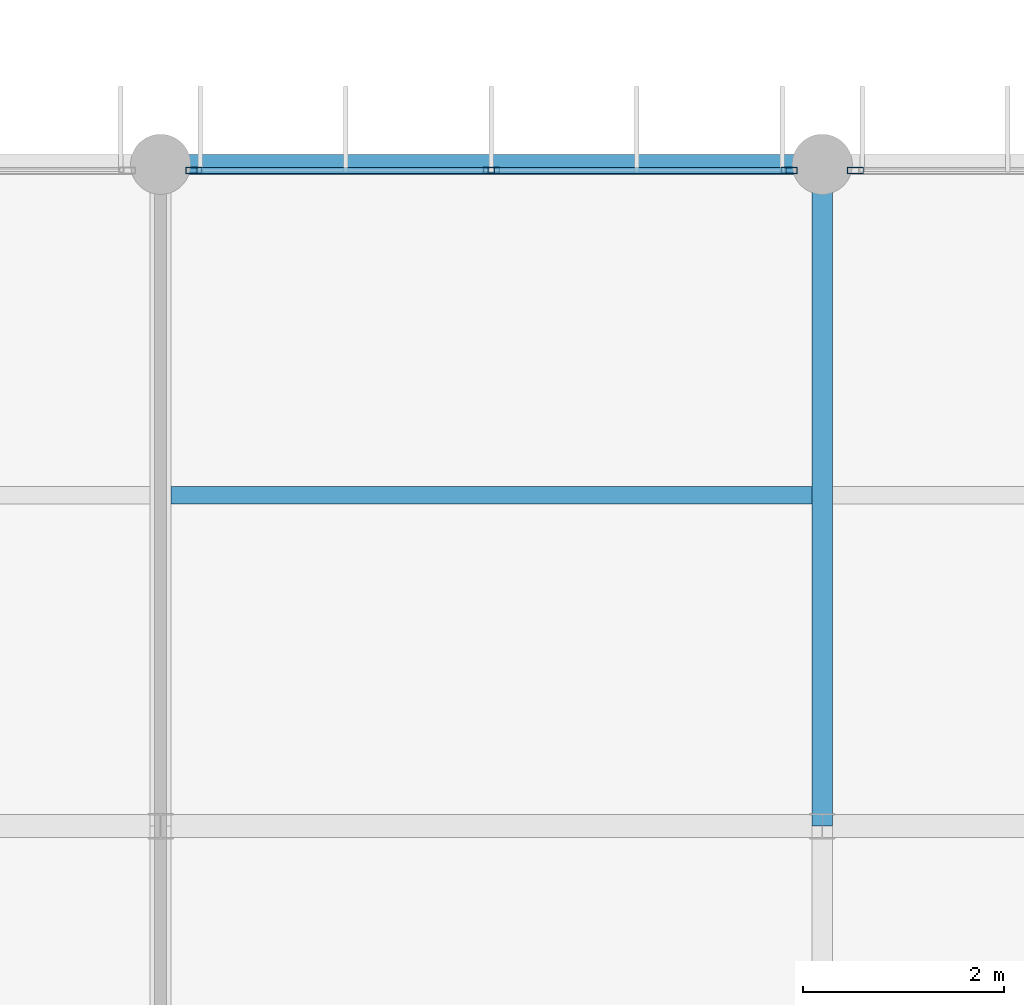
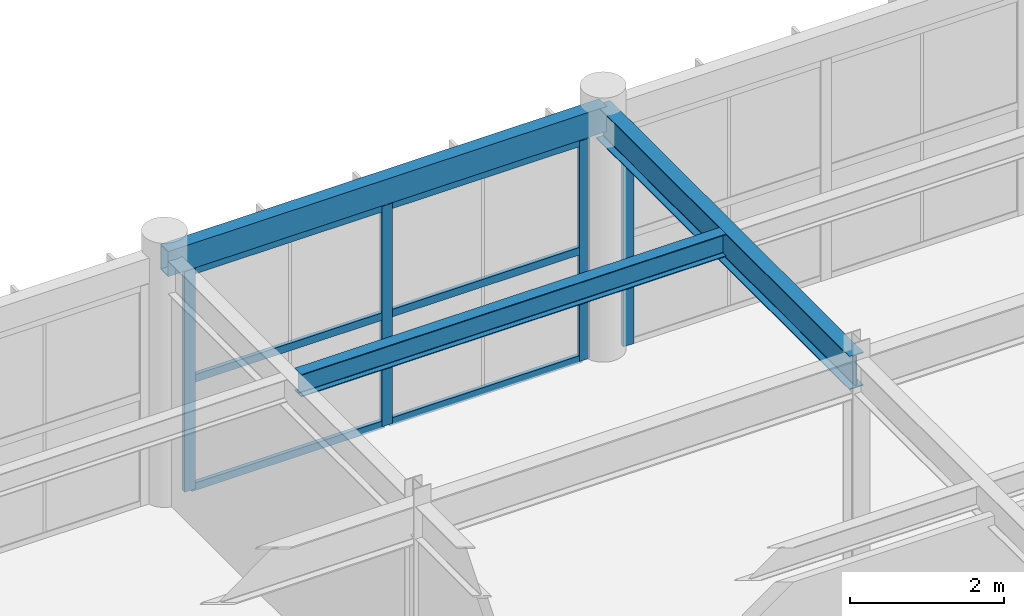
# One storey, part 22 of 66: 10 members, 3 beams, 2 elements without a shape of their own.
"""IFC4 building model written with IfcOpenShell, lengths in metres."""

from ifc_helpers import new_model, si_unit, direction, frame, origin, origin_2d, place, context, subcontext, project, spatial, hollow_rectangle, i_section, extrude, material, material_profile, profile_set, type_object, element, aggregate, save


model = new_model("IFC4")

# Units and contexts
model_context = context("Model", 3, precision=1e-05, world=origin(), true_north=direction((0.0, 1.0)))
body_context = subcontext(model_context, "Body", "Model", "MODEL_VIEW")
ifc_project = project(units=[si_unit("LENGTHUNIT", "METRE"), si_unit("AREAUNIT", "SQUARE_METRE"), si_unit("VOLUMEUNIT", "CUBIC_METRE"), si_unit("PLANEANGLEUNIT", "RADIAN"), si_unit("MASSUNIT", "GRAM", prefix="KILO")], contexts=[model_context])

# Site, building, storey
site_placement = place(None, origin())
site = spatial("IfcSite", under=ifc_project, at=site_placement, CompositionType="ELEMENT")
building_placement = place(site_placement, origin())
building = spatial("IfcBuilding", under=site, at=building_placement, Name="Karori Crest Natural Sciences Institute", CompositionType="ELEMENT")
storey_placement = place(building_placement, frame((0.0, 0.0, 30.10009765625)))
storey = spatial("IfcBuildingStorey", under=building, at=storey_placement, Name="L07", CompositionType="ELEMENT", Elevation=30.10009765625)

# Beams
ifc_material_1 = material(Name="Structural steel AS/NZS 3679.1 Grade 350", Category="steel")
ifc_material_profile_1 = material_profile(ifc_material_1, i_section(OverallWidth=0.208984375, OverallDepth=0.532958984375, WebThickness=0.01025390625, FlangeThickness=0.015625, FilletRadius=0.013916015625, at=origin_2d()), Name="530UB92.4")
ifc_profile_set_1 = profile_set([ifc_material_profile_1], Name="Structural steel AS/NZS 3679.1 Grade 350")
beam_type_1 = type_object("IfcBeamType", Name="BT-05", PredefinedType="BEAM", material=ifc_profile_set_1)
beam_1_placement = place(storey_placement, frame((130.0, 14.0, 3.6533203125), z_axis=(0.0, 1.0, 0.0), x_axis=(-1.0, 0.0, 0.0)))
element("IfcBeam", 1, at=beam_1_placement, inside=storey, type_object=beam_type_1, Name="Beam B-2662", PredefinedType="BEAM", context=body_context, shape_type="SweptSolid", body=[
    extrude(i_section(OverallWidth=0.208984375, OverallDepth=0.532958984375, WebThickness=0.01025390625, FlangeThickness=0.015625, FilletRadius=0.013916015625, at=origin_2d()), origin(), (0.0, 0.0, 1.0), 6.60009765625),
])
ifc_material_profile_2 = material_profile(ifc_material_1, i_section(OverallWidth=0.172119140625, OverallDepth=0.35888671875, WebThickness=0.008056640625, FlangeThickness=0.012939453125, FilletRadius=0.010986328125, at=origin_2d()), Name="360UB56.7")
ifc_profile_set_2 = profile_set([ifc_material_profile_2], Name="Structural steel AS/NZS 3679.1 Grade 350")
beam_type_2 = type_object("IfcBeamType", Name="BT-08", PredefinedType="BEAM", material=ifc_profile_set_2)
beam_2_placement = place(storey_placement, frame((123.50439453125, 17.300048828125, 3.740478515625), z_axis=(1.0, 0.0, 0.0), x_axis=(0.0, 1.0, 0.0)))
element("IfcBeam", 2, at=beam_2_placement, inside=storey, type_object=beam_type_2, Name="Beam B-2683", PredefinedType="BEAM", context=body_context, shape_type="SweptSolid", body=[
    extrude(i_section(OverallWidth=0.172119140625, OverallDepth=0.35888671875, WebThickness=0.008056640625, FlangeThickness=0.012939453125, FilletRadius=0.010986328125, at=origin_2d()), origin(), (0.0, 0.0, 1.0), 6.39111328125),
])
ifc_material_2 = material(Name="Hollow structural steel AS/NZS 1163 Grade C350", Category="steel")
ifc_material_profile_3 = material_profile(ifc_material_2, hollow_rectangle(XDim=0.199951171875, YDim=0.39990234375, WallThickness=0.012451171875, at=origin_2d()), Name="RHS400x200x12.5")
ifc_profile_set_3 = profile_set([ifc_material_profile_3], Name="Hollow structural steel AS/NZS 1163 Grade C350")
beam_type_3 = type_object("IfcBeamType", Name="BT-14", PredefinedType="SPANDREL", material=ifc_profile_set_3)
beam_3_placement = place(storey_placement, frame((123.39990234375, 20.60009765625, 3.719970703125), z_axis=(1.0, 0.0, 0.0), x_axis=(0.0, 1.0, 0.0)))
element("IfcBeam", 3, at=beam_3_placement, inside=storey, type_object=beam_type_3, Name="Beam B-2643", PredefinedType="SPANDREL", context=body_context, shape_type="SweptSolid", body=[
    extrude(hollow_rectangle(XDim=0.199951171875, YDim=0.39990234375, WallThickness=0.012451171875, at=origin_2d()), origin(), (0.0, 0.0, 1.0), 6.60009765625),
])

# Curtain wall, members
ifc_material_3 = material(Name="Anodised architectural aluminium 6063-T6", Category="aluminium")
curtain_wall_type = type_object("IfcCurtainWallType", Name="CWT-20", PredefinedType="NOTDEFINED", material=ifc_material_3)
curtain_wall_1_placement = place(storey_placement, origin())
curtain_wall_1 = element("IfcCurtainWall", 4, at=curtain_wall_1_placement, inside=storey, type_object=curtain_wall_type, Name="Curtain wall CW-0360", PredefinedType="NOTDEFINED")
ifc_material_profile_4 = material_profile(ifc_material_3, hollow_rectangle(XDim=0.06494140625, YDim=0.159912109375, WallThickness=0.00390625, at=origin_2d()), Name="CWM160x65x4")
ifc_profile_set_4 = profile_set([ifc_material_profile_4], Name="Anodised architectural aluminium 6063-T6")
member_type_1 = type_object("IfcMemberType", Name="CWM-01", PredefinedType="MULLION", material=ifc_profile_set_4)
member_1_placement = place(storey_placement, frame((123.73046875, 20.5400390625, 0.0), z_axis=(0.0, 0.0, 1.0), x_axis=(0.0, 1.0, 0.0)))
member_1 = element("IfcMember", 5, at=member_1_placement, type_object=member_type_1, Name="CW-0360 mullion 1", PredefinedType="MULLION", context=body_context, shape_type="SweptSolid", body=[
    extrude(hollow_rectangle(XDim=0.06494140625, YDim=0.159912109375, WallThickness=0.00390625, at=origin_2d()), origin(), (0.0, 0.0, 1.0), 3.5048828125),
])
member_2_placement = place(storey_placement, frame((126.699951171875, 20.5400390625, 0.0), z_axis=(0.0, 0.0, 1.0), x_axis=(0.0, 1.0, 0.0)))
member_2 = element("IfcMember", 6, at=member_2_placement, type_object=member_type_1, Name="CW-0360 mullion 2", PredefinedType="MULLION", context=body_context, shape_type="SweptSolid", body=[
    extrude(hollow_rectangle(XDim=0.06494140625, YDim=0.159912109375, WallThickness=0.00390625, at=origin_2d()), origin(), (0.0, 0.0, 1.0), 3.5048828125),
])
member_3_placement = place(storey_placement, frame((129.66943359375, 20.5400390625, 0.0), z_axis=(0.0, 0.0, 1.0), x_axis=(0.0, 1.0, 0.0)))
member_3 = element("IfcMember", 7, at=member_3_placement, type_object=member_type_1, Name="CW-0360 mullion 3", PredefinedType="MULLION", context=body_context, shape_type="SweptSolid", body=[
    extrude(hollow_rectangle(XDim=0.06494140625, YDim=0.159912109375, WallThickness=0.00390625, at=origin_2d()), origin(), (0.0, 0.0, 1.0), 3.5048828125),
])

# Curtain wall, member
curtain_wall_2_placement = place(storey_placement, origin())
curtain_wall_2 = element("IfcCurtainWall", 8, at=curtain_wall_2_placement, inside=storey, type_object=curtain_wall_type, Name="Curtain wall CW-0361", PredefinedType="NOTDEFINED")
member_4_placement = place(storey_placement, frame((130.33056640625, 20.5400390625, 0.0), z_axis=(0.0, 0.0, 1.0), x_axis=(0.0, 1.0, 0.0)))
member_4 = element("IfcMember", 9, at=member_4_placement, type_object=member_type_1, Name="CW-0361 mullion 1", PredefinedType="MULLION", context=body_context, shape_type="SweptSolid", body=[
    extrude(hollow_rectangle(XDim=0.06494140625, YDim=0.159912109375, WallThickness=0.00390625, at=origin_2d()), origin(), (0.0, 0.0, 1.0), 3.5048828125),
])
aggregate(curtain_wall_2, [member_4])

# Member
ifc_material_profile_5 = material_profile(ifc_material_3, hollow_rectangle(XDim=0.06005859375, YDim=0.1201171875, WallThickness=0.00390625, at=origin_2d()), Name="CWT120x60x4")
ifc_profile_set_5 = profile_set([ifc_material_profile_5], Name="Anodised architectural aluminium 6063-T6")
member_type_2 = type_object("IfcMemberType", Name="CWT-TR1", PredefinedType="USERDEFINED", material=ifc_profile_set_5)
member_5_placement = place(storey_placement, frame((123.762939453125, 20.5400390625, 0.02978515625), z_axis=(1.0, 0.0, 0.0), x_axis=(0.0, 1.0, 0.0)))
member_5 = element("IfcMember", 10, at=member_5_placement, type_object=member_type_2, Name="CW-0360 transom 1.1", ObjectType="TRANSOM", PredefinedType="USERDEFINED", context=body_context, shape_type="SweptSolid", body=[
    extrude(hollow_rectangle(XDim=0.06005859375, YDim=0.1201171875, WallThickness=0.00390625, at=origin_2d()), origin(), (0.0, 0.0, 1.0), 2.904541015625),
])

member_6_placement = place(storey_placement, frame((123.762939453125, 20.5400390625, 1.75244140625), z_axis=(1.0, 0.0, 0.0), x_axis=(0.0, 1.0, 0.0)))
member_6 = element("IfcMember", 11, at=member_6_placement, type_object=member_type_2, Name="CW-0360 transom 1.2", ObjectType="TRANSOM", PredefinedType="USERDEFINED", context=body_context, shape_type="SweptSolid", body=[
    extrude(hollow_rectangle(XDim=0.06005859375, YDim=0.1201171875, WallThickness=0.00390625, at=origin_2d()), origin(), (0.0, 0.0, 1.0), 2.904541015625),
])

member_7_placement = place(storey_placement, frame((123.762939453125, 20.5400390625, 3.474853515625), z_axis=(1.0, 0.0, 0.0), x_axis=(0.0, 1.0, 0.0)))
member_7 = element("IfcMember", 12, at=member_7_placement, type_object=member_type_2, Name="CW-0360 transom 1.3", ObjectType="TRANSOM", PredefinedType="USERDEFINED", context=body_context, shape_type="SweptSolid", body=[
    extrude(hollow_rectangle(XDim=0.06005859375, YDim=0.1201171875, WallThickness=0.00390625, at=origin_2d()), origin(), (0.0, 0.0, 1.0), 2.904541015625),
])

member_8_placement = place(storey_placement, frame((126.732421875, 20.5400390625, 0.02978515625), z_axis=(1.0, 0.0, 0.0), x_axis=(0.0, 1.0, 0.0)))
member_8 = element("IfcMember", 13, at=member_8_placement, type_object=member_type_2, Name="CW-0360 transom 2.1", ObjectType="TRANSOM", PredefinedType="USERDEFINED", context=body_context, shape_type="SweptSolid", body=[
    extrude(hollow_rectangle(XDim=0.06005859375, YDim=0.1201171875, WallThickness=0.00390625, at=origin_2d()), origin(), (0.0, 0.0, 1.0), 2.904541015625),
])

member_9_placement = place(storey_placement, frame((126.732421875, 20.5400390625, 1.75244140625), z_axis=(1.0, 0.0, 0.0), x_axis=(0.0, 1.0, 0.0)))
member_9 = element("IfcMember", 14, at=member_9_placement, type_object=member_type_2, Name="CW-0360 transom 2.2", ObjectType="TRANSOM", PredefinedType="USERDEFINED", context=body_context, shape_type="SweptSolid", body=[
    extrude(hollow_rectangle(XDim=0.06005859375, YDim=0.1201171875, WallThickness=0.00390625, at=origin_2d()), origin(), (0.0, 0.0, 1.0), 2.904541015625),
])

member_10_placement = place(storey_placement, frame((126.732421875, 20.5400390625, 3.474853515625), z_axis=(1.0, 0.0, 0.0), x_axis=(0.0, 1.0, 0.0)))
member_10 = element("IfcMember", 15, at=member_10_placement, type_object=member_type_2, Name="CW-0360 transom 2.3", ObjectType="TRANSOM", PredefinedType="USERDEFINED", context=body_context, shape_type="SweptSolid", body=[
    extrude(hollow_rectangle(XDim=0.06005859375, YDim=0.1201171875, WallThickness=0.00390625, at=origin_2d()), origin(), (0.0, 0.0, 1.0), 2.904541015625),
])

aggregate(curtain_wall_1, [member_1, member_2, member_3, member_5, member_6, member_7, member_8, member_9, member_10])

save(model, "model.ifc")
